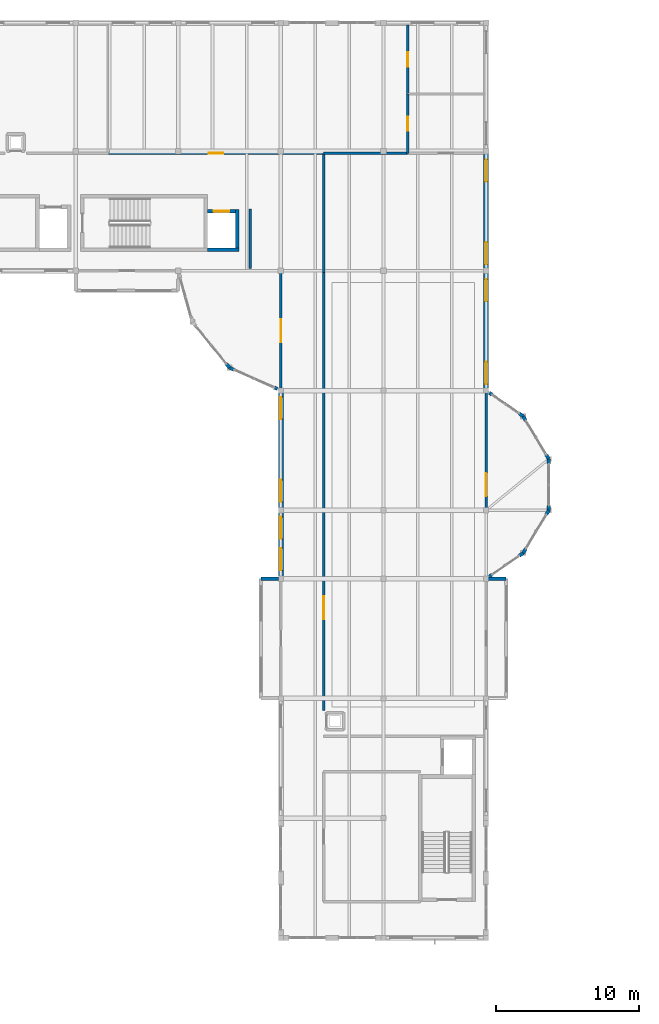
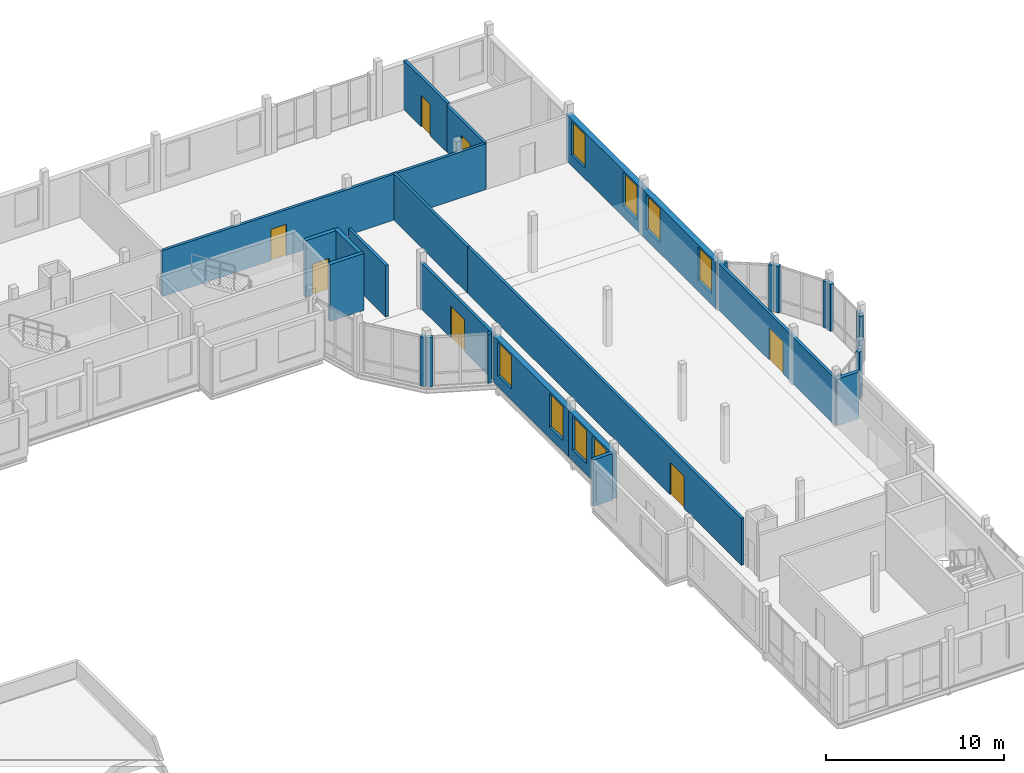
# One storey, part 43 of 57: 31 walls, 8 windows, 7 doors, 15 openings.
"""IFC4 building model written with IfcOpenShell, lengths in metres."""

from ifc_helpers import new_model, si_unit, direction, frame, frame_2d, origin, place, context, subcontext, project, spatial, rectangle, extrude, material, layer, layer_set, type_object, element, fill, save


model = new_model("IFC4")

# Units and contexts
model_context = context("Model", 3, precision=1e-05, world=origin(), true_north=direction((0.0, 1.0)))
body_context = subcontext(model_context, "Body", "Model", "MODEL_VIEW")
ifc_project = project(units=[si_unit("LENGTHUNIT", "METRE"), si_unit("AREAUNIT", "SQUARE_METRE"), si_unit("VOLUMEUNIT", "CUBIC_METRE"), si_unit("PLANEANGLEUNIT", "RADIAN"), si_unit("MASSUNIT", "GRAM", prefix="KILO")], contexts=[model_context])

# Site, building, storey
site_placement = place(None, origin())
site = spatial("IfcSite", under=ifc_project, at=site_placement, CompositionType="ELEMENT")
building_placement = place(site_placement, origin())
building = spatial("IfcBuilding", under=site, at=building_placement, Name="Kahlenmark Community Centre", CompositionType="ELEMENT")
storey_placement = place(building_placement, frame((0.0, 0.0, 13.800048828125)))
storey = spatial("IfcBuildingStorey", under=building, at=storey_placement, Name="L03", CompositionType="ELEMENT", Elevation=13.800048828125)

# Walls
ifc_material_1 = material(Name="Concrete C35/45", Category="concrete")
ifc_layer_1 = layer(ifc_material_1, 0.25)
ifc_layer_set_1 = layer_set([ifc_layer_1], Name="Concrete C35/45")
wall_type_1 = type_object("IfcWallType", Name="WT-CORE-250", PredefinedType="SHEAR", material=ifc_layer_set_1)
wall_1_placement = place(storey_placement, frame((67.25, 99.074951171875, 0.0), z_axis=(0.0, 0.0, 1.0), x_axis=(1.0, 0.0, 0.0)))
element("IfcWall", 1, at=wall_1_placement, inside=storey, type_object=wall_type_1, Name="Core K5 shear wall WL-CORE-K5-L03-0180", PredefinedType="SHEAR", context=body_context, shape_type="SweptSolid", body=[
    extrude(rectangle(XDim=2.2099609375, YDim=0.25, at=frame_2d((1.10498046875, 0.0))), origin(), (0.0, 0.0, 1.0), 3.89990234375),
])
wall_2_placement = place(storey_placement, frame((69.3349609375, 98.949951171875, 0.0), z_axis=(0.0, 0.0, 1.0), x_axis=(0.0, 1.0, 0.0)))
element("IfcWall", 2, at=wall_2_placement, inside=storey, type_object=wall_type_1, Name="Core K5 shear wall WL-CORE-K5-L03-0181", PredefinedType="SHEAR", context=body_context, shape_type="SweptSolid", body=[
    extrude(rectangle(XDim=2.9599609375, YDim=0.25, at=frame_2d((1.47998046875, 0.0))), origin(), (0.0, 0.0, 1.0), 3.89990234375),
])

# Wall, opening, door
wall_3_placement = place(storey_placement, frame((67.25, 101.784912109375, 0.0), z_axis=(0.0, 0.0, 1.0), x_axis=(1.0, 0.0, 0.0)))
wall_3 = element("IfcWall", 3, at=wall_3_placement, inside=storey, type_object=wall_type_1, Name="Core K5 shear wall WL-CORE-K5-L03-0182", PredefinedType="SHEAR", context=body_context, shape_type="SweptSolid", body=[
    extrude(rectangle(XDim=1.9599609375, YDim=0.25, at=frame_2d((0.97998046875, 0.0))), origin(), (0.0, 0.0, 1.0), 3.89990234375),
])
opening_1_placement = place(wall_3_placement, frame((0.429931640625, 0.0, -0.010009765625)))
opening_1 = element("IfcOpeningElement", 4, at=opening_1_placement, cuts=wall_3, Name="Opening LD-5", PredefinedType="OPENING", context=body_context, shape_type="SweptSolid", body=[
    extrude(rectangle(XDim=1.10009765625, YDim=2.159912109375, at=frame_2d((0.550048828125, 1.080078125))), frame((0.0, 0.135009765625, 0.0), z_axis=(0.0, -1.0, 0.0), x_axis=(1.0, 0.0, 0.0)), (0.0, 0.0, 1.0), 0.27001953125),
])
ifc_material_2 = material(Name="Brushed stainless steel sliding lift landing door", Category="steel")
door_type_1 = type_object("IfcDoorType", Name="DT-LD-K5", OperationType="SLIDING_TO_LEFT", PredefinedType="DOOR", material=ifc_material_2)
door_1_placement = place(opening_1_placement, frame((0.0, 0.0, 0.010009765625)))
door_1 = element("IfcDoor", 5, at=door_1_placement, inside=storey, type_object=door_type_1, Name="Lift LF-05 sliding landing door L03", OperationType="SLIDING_TO_LEFT", OverallHeight=2.14990234375, OverallWidth=1.10009765625, PredefinedType="DOOR", context=body_context, shape_type="SweptSolid", body=[
    extrude(rectangle(XDim=1.10009765625, YDim=2.14990234375, at=frame_2d((0.550048828125, 1.074951171875))), frame((0.0, 0.02490234375, 0.0), z_axis=(0.0, -1.0, 0.0), x_axis=(1.0, 0.0, 0.0)), (0.0, 0.0, 1.0), 0.050048828125),
])
fill(opening_1, door_1)

# Walls
ifc_material_3 = material(Name="Cross-laminated timber CLT C24", Category="wood")
ifc_layer_2 = layer(ifc_material_3, 0.239990234375)
ifc_layer_set_2 = layer_set([ifc_layer_2], Name="Cross-laminated timber CLT C24")
wall_type_2 = type_object("IfcWallType", Name="WT-EW-240", PredefinedType="SOLIDWALL", material=ifc_layer_set_2)
wall_4_placement = place(storey_placement, frame((87.0302734375, 76.159423828125, 0.0), z_axis=(0.0, 0.0, 1.0), x_axis=(0.822192191644, 0.56920997883, 0.0)))
element("IfcWall", 6, at=wall_4_placement, inside=storey, type_object=wall_type_2, Name="Rotunda pier closure 0736", PredefinedType="SOLIDWALL", context=body_context, shape_type="SweptSolid", body=[
    extrude(rectangle(XDim=0.219970703125, YDim=0.239990234375, at=frame_2d((0.10986328125, 0.0))), origin(), (0.0, 0.0, 1.0), 3.199951171875),
])
wall_5_placement = place(storey_placement, frame((89.12060546875, 77.6064453125, 0.0), z_axis=(0.0, 0.0, 1.0), x_axis=(0.821855834467, 0.569695521619, 0.0)))
element("IfcWall", 7, at=wall_5_placement, inside=storey, type_object=wall_type_2, Name="Rotunda pier closure 0737", PredefinedType="SOLIDWALL", context=body_context, shape_type="SweptSolid", body=[
    extrude(rectangle(XDim=0.33984375, YDim=0.239990234375, at=frame_2d((0.169921875, 0.0))), origin(), (0.0, 0.0, 1.0), 3.199951171875),
])
wall_6_placement = place(storey_placement, frame((89.39990234375, 77.800048828125, 0.0), z_axis=(0.0, 0.0, 1.0), x_axis=(0.514812489021, 0.857302805984, 0.0)))
element("IfcWall", 8, at=wall_6_placement, inside=storey, type_object=wall_type_2, Name="Rotunda pier closure 0738", PredefinedType="SOLIDWALL", context=body_context, shape_type="SweptSolid", body=[
    extrude(rectangle(XDim=0.340087890625, YDim=0.239990234375, at=frame_2d((0.169921875, 0.0))), origin(), (0.0, 0.0, 1.0), 3.199951171875),
])
for number, where, z_axis, x_axis, name in (
    (9, (91.025146484375, 80.508544921875, 0.0), (0.0, 0.0, 1.0), (0.514284482632, 0.857619653998, 0.0), "Rotunda pier closure 0739"),
    (10, (91.199951171875, 80.800048828125, 0.0), (0.0, 0.0, 1.0), (0.0, 1.0, 0.0), "Rotunda pier closure 0740"),
    (11, (91.199951171875, 84.06005859375, 0.0), (0.0, 0.0, 1.0), (0.0, 1.0, 0.0), "Rotunda pier closure 0741"),
    (12, (91.199951171875, 84.39990234375, 0.0), (0.0, 0.0, 1.0), (-0.514284482632, 0.857619653998, 0.0), "Rotunda pier closure 0742"),
):
    element("IfcWall", number, at=place(storey_placement, frame(where, z_axis=z_axis, x_axis=x_axis)), inside=storey, type_object=wall_type_2, Name=name, PredefinedType="SOLIDWALL", context=body_context, shape_type="SweptSolid", body=[
        extrude(rectangle(XDim=0.33984375, YDim=0.239990234375, at=frame_2d((0.169921875, 0.0))), origin(), (0.0, 0.0, 1.0), 3.199951171875),
    ])
wall_7_placement = place(storey_placement, frame((89.574951171875, 87.1083984375, 0.0), z_axis=(0.0, 0.0, 1.0), x_axis=(-0.514812489021, 0.857302805984, 0.0)))
element("IfcWall", 13, at=wall_7_placement, inside=storey, type_object=wall_type_2, Name="Rotunda pier closure 0743", PredefinedType="SOLIDWALL", context=body_context, shape_type="SweptSolid", body=[
    extrude(rectangle(XDim=0.340087890625, YDim=0.239990234375, at=frame_2d((0.169921875, 0.0))), origin(), (0.0, 0.0, 1.0), 3.199951171875),
])
wall_8_placement = place(storey_placement, frame((89.39990234375, 87.39990234375, 0.0), z_axis=(0.0, 0.0, 1.0), x_axis=(-0.821855834467, 0.569695521619, 0.0)))
element("IfcWall", 14, at=wall_8_placement, inside=storey, type_object=wall_type_2, Name="Rotunda pier closure 0744", PredefinedType="SOLIDWALL", context=body_context, shape_type="SweptSolid", body=[
    extrude(rectangle(XDim=0.33984375, YDim=0.239990234375, at=frame_2d((0.169921875, 0.0))), origin(), (0.0, 0.0, 1.0), 3.199951171875),
])
wall_9_placement = place(storey_placement, frame((87.211181640625, 88.915283203125, 0.0), z_axis=(0.0, 0.0, 1.0), x_axis=(-0.822192191644, 0.56920997883, 0.0)))
element("IfcWall", 15, at=wall_9_placement, inside=storey, type_object=wall_type_2, Name="Rotunda pier closure 0745", PredefinedType="SOLIDWALL", context=body_context, shape_type="SweptSolid", body=[
    extrude(rectangle(XDim=0.219970703125, YDim=0.239990234375, at=frame_2d((0.10986328125, 0.0))), origin(), (0.0, 0.0, 1.0), 3.199951171875),
])
wall_10_placement = place(storey_placement, frame((68.585693359375, 91.06396484375, 0.0), z_axis=(0.0, 0.0, 1.0), x_axis=(0.630457451131, -0.776223809422, 0.0)))
element("IfcWall", 16, at=wall_10_placement, inside=storey, type_object=wall_type_2, Name="Rotunda pier closure 0789", PredefinedType="SOLIDWALL", context=body_context, shape_type="SweptSolid", body=[
    extrude(rectangle(XDim=0.340087890625, YDim=0.239990234375, at=frame_2d((0.169921875, 0.0))), origin(), (0.0, 0.0, 1.0), 3.369873046875),
])
wall_11_placement = place(storey_placement, frame((68.800048828125, 90.800048828125, 0.0), z_axis=(0.0, 0.0, 1.0), x_axis=(0.913633745955, -0.406538286329, 0.0)))
element("IfcWall", 17, at=wall_11_placement, inside=storey, type_object=wall_type_2, Name="Rotunda pier closure 0790", PredefinedType="SOLIDWALL", context=body_context, shape_type="SweptSolid", body=[
    extrude(rectangle(XDim=0.33984375, YDim=0.239990234375, at=frame_2d((0.169921875, 0.0))), origin(), (0.0, 0.0, 1.0), 3.369873046875),
])
wall_12_placement = place(storey_placement, frame((71.943115234375, 89.403076171875, 0.0), z_axis=(0.0, 0.0, 1.0), x_axis=(0.913719959968, -0.406344477944, 0.0)))
element("IfcWall", 18, at=wall_12_placement, inside=storey, type_object=wall_type_2, Name="Rotunda pier closure 0791", PredefinedType="SOLIDWALL", context=body_context, shape_type="SweptSolid", body=[
    extrude(rectangle(XDim=0.219970703125, YDim=0.239990234375, at=frame_2d((0.10986328125, 0.0))), origin(), (0.0, 0.0, 1.0), 3.369873046875),
])
wall_13_placement = place(storey_placement, frame((88.199951171875, 76.0, 0.0), z_axis=(0.0, 0.0, 1.0), x_axis=(-1.0, 0.0, 0.0)))
element("IfcWall", 19, at=wall_13_placement, inside=storey, type_object=wall_type_2, Name="Bay oriel wall WL-ORI-L03-0816", PredefinedType="SOLIDWALL", context=body_context, shape_type="SweptSolid", body=[
    extrude(rectangle(XDim=1.39990234375, YDim=0.239990234375, at=frame_2d((0.699951171875, 0.0))), origin(), (0.0, 0.0, 1.0), 3.199951171875),
])
wall_14_placement = place(storey_placement, frame((71.0, 76.0, 0.0), z_axis=(0.0, 0.0, 1.0), x_axis=(1.0, 0.0, 0.0)))
element("IfcWall", 20, at=wall_14_placement, inside=storey, type_object=wall_type_2, Name="Bay oriel wall WL-ORI-L03-0852", PredefinedType="SOLIDWALL", context=body_context, shape_type="SweptSolid", body=[
    extrude(rectangle(XDim=1.25, YDim=0.239990234375, at=frame_2d((0.625, 0.0))), origin(), (0.0, 0.0, 1.0), 3.199951171875),
])

# Wall, openings, windows
ifc_material_4 = material(Name="Danube limestone masonry", Category="masonry")
ifc_layer_3 = layer(ifc_material_4, 0.360107421875)
ifc_layer_set_3 = layer_set([ifc_layer_3], Name="Danube limestone masonry")
wall_type_3 = type_object("IfcWallType", Name="WT-EW-360", PredefinedType="SOLIDWALL", material=ifc_layer_set_3)
wall_15_placement = place(storey_placement, frame((86.800048828125, 97.60009765625, 0.0), z_axis=(0.0, 0.0, 1.0), x_axis=(0.0, 1.0, 0.0)))
wall_15 = element("IfcWall", 21, at=wall_15_placement, inside=storey, type_object=wall_type_3, Name="Exterior wall WL-EXT-L03-0608", PredefinedType="SOLIDWALL", context=body_context, shape_type="SweptSolid", body=[
    extrude(rectangle(XDim=8.39990234375, YDim=0.360107421875, at=frame_2d((4.199951171875, 0.0))), origin(), (0.0, 0.0, 1.0), 3.179931640625),
])
opening_2_placement = place(wall_15_placement, frame((0.4599609375, 0.0, 0.75)))
opening_2 = element("IfcOpeningElement", 22, at=opening_2_placement, cuts=wall_15, Name="Opening W-155X229", PredefinedType="OPENING", context=body_context, shape_type="SweptSolid", body=[
    extrude(rectangle(XDim=1.550048828125, YDim=2.2900390625, at=frame_2d((0.77490234375, 1.14501953125))), frame((0.0, 0.18994140625, 0.0), z_axis=(0.0, -1.0, 0.0), x_axis=(1.0, 0.0, 0.0)), (0.0, 0.0, 1.0), 0.380126953125),
])
opening_3_placement = place(wall_15_placement, frame((6.260009765625, 0.0, 0.75)))
opening_3 = element("IfcOpeningElement", 23, at=opening_3_placement, cuts=wall_15, Name="Opening W-155X229", PredefinedType="OPENING", context=body_context, shape_type="SweptSolid", body=[
    extrude(rectangle(XDim=1.550048828125, YDim=2.2900390625, at=frame_2d((0.77490234375, 1.14501953125))), frame((0.0, 0.18994140625, 0.0), z_axis=(0.0, -1.0, 0.0), x_axis=(1.0, 0.0, 0.0)), (0.0, 0.0, 1.0), 0.380126953125),
])
ifc_material_5 = material(Name="Deep-reveal limestone punched triple glazing", Category="masonry")
window_type_1 = type_object("IfcWindowType", Name="WNT-155X229", PartitioningType="DOUBLE_PANEL_HORIZONTAL", PredefinedType="WINDOW", material=ifc_material_5)
window_1_placement = place(opening_2_placement, origin())
window_1 = element("IfcWindow", 24, at=window_1_placement, inside=storey, type_object=window_type_1, Name="Window W-155X229 #0381", OverallHeight=2.2900390625, OverallWidth=1.550048828125, PartitioningType="DOUBLE_PANEL_HORIZONTAL", PredefinedType="WINDOW", context=body_context, shape_type="SweptSolid", body=[
    extrude(rectangle(XDim=1.550048828125, YDim=2.2900390625, at=frame_2d((0.77490234375, 1.14501953125))), frame((0.0, 0.030029296875, 0.0), z_axis=(0.0, -1.0, 0.0), x_axis=(1.0, 0.0, 0.0)), (0.0, 0.0, 1.0), 0.06005859375),
])
fill(opening_2, window_1)
window_2_placement = place(opening_3_placement, origin())
window_2 = element("IfcWindow", 25, at=window_2_placement, inside=storey, type_object=window_type_1, Name="Window W-155X229 #0382", OverallHeight=2.2900390625, OverallWidth=1.550048828125, PartitioningType="DOUBLE_PANEL_HORIZONTAL", PredefinedType="WINDOW", context=body_context, shape_type="SweptSolid", body=[
    extrude(rectangle(XDim=1.550048828125, YDim=2.2900390625, at=frame_2d((0.77490234375, 1.14501953125))), frame((0.0, 0.030029296875, 0.0), z_axis=(0.0, -1.0, 0.0), x_axis=(1.0, 0.0, 0.0)), (0.0, 0.0, 1.0), 0.06005859375),
])
fill(opening_3, window_2)

wall_16_placement = place(storey_placement, frame((72.39990234375, 80.800048828125, 0.0), z_axis=(0.0, 0.0, 1.0), x_axis=(0.0, -1.0, 0.0)))
wall_16 = element("IfcWall", 26, at=wall_16_placement, inside=storey, type_object=wall_type_3, Name="Exterior wall WL-EXT-L03-0618", PredefinedType="SOLIDWALL", context=body_context, shape_type="SweptSolid", body=[
    extrude(rectangle(XDim=4.800048828125, YDim=0.360107421875, at=frame_2d((2.39990234375, 0.0))), origin(), (0.0, 0.0, 1.0), 3.199951171875),
])
opening_4_placement = place(wall_16_placement, frame((0.4599609375, 0.0, 0.75)))
opening_4 = element("IfcOpeningElement", 27, at=opening_4_placement, cuts=wall_16, Name="Opening W-155X231", PredefinedType="OPENING", context=body_context, shape_type="SweptSolid", body=[
    extrude(rectangle(XDim=1.550048828125, YDim=2.31005859375, at=frame_2d((0.77490234375, 1.155029296875))), frame((0.0, 0.18994140625, 0.0), z_axis=(0.0, -1.0, 0.0), x_axis=(1.0, 0.0, 0.0)), (0.0, 0.0, 1.0), 0.380126953125),
])
opening_5_placement = place(wall_16_placement, frame((2.659912109375, 0.0, 0.75)))
opening_5 = element("IfcOpeningElement", 28, at=opening_5_placement, cuts=wall_16, Name="Opening W-155X231", PredefinedType="OPENING", context=body_context, shape_type="SweptSolid", body=[
    extrude(rectangle(XDim=1.550048828125, YDim=2.31005859375, at=frame_2d((0.77490234375, 1.155029296875))), frame((0.0, 0.18994140625, 0.0), z_axis=(0.0, -1.0, 0.0), x_axis=(1.0, 0.0, 0.0)), (0.0, 0.0, 1.0), 0.380126953125),
])
window_type_2 = type_object("IfcWindowType", Name="WNT-155X231", PartitioningType="DOUBLE_PANEL_HORIZONTAL", PredefinedType="WINDOW", material=ifc_material_5)
window_3_placement = place(opening_4_placement, origin())
window_3 = element("IfcWindow", 29, at=window_3_placement, inside=storey, type_object=window_type_2, Name="Window W-155X231 #0389", OverallHeight=2.31005859375, OverallWidth=1.550048828125, PartitioningType="DOUBLE_PANEL_HORIZONTAL", PredefinedType="WINDOW", context=body_context, shape_type="SweptSolid", body=[
    extrude(rectangle(XDim=1.550048828125, YDim=2.31005859375, at=frame_2d((0.77490234375, 1.155029296875))), frame((0.0, 0.030029296875, 0.0), z_axis=(0.0, -1.0, 0.0), x_axis=(1.0, 0.0, 0.0)), (0.0, 0.0, 1.0), 0.06005859375),
])
fill(opening_4, window_3)
window_4_placement = place(opening_5_placement, origin())
window_4 = element("IfcWindow", 30, at=window_4_placement, inside=storey, type_object=window_type_2, Name="Window W-155X231 #0390", OverallHeight=2.31005859375, OverallWidth=1.550048828125, PartitioningType="DOUBLE_PANEL_HORIZONTAL", PredefinedType="WINDOW", context=body_context, shape_type="SweptSolid", body=[
    extrude(rectangle(XDim=1.550048828125, YDim=2.31005859375, at=frame_2d((0.77490234375, 1.155029296875))), frame((0.0, 0.030029296875, 0.0), z_axis=(0.0, -1.0, 0.0), x_axis=(1.0, 0.0, 0.0)), (0.0, 0.0, 1.0), 0.06005859375),
])
fill(opening_5, window_4)

wall_17_placement = place(storey_placement, frame((72.39990234375, 89.199951171875, 0.0), z_axis=(0.0, 0.0, 1.0), x_axis=(0.0, -1.0, 0.0)))
wall_17 = element("IfcWall", 31, at=wall_17_placement, inside=storey, type_object=wall_type_3, Name="Exterior wall WL-EXT-L03-0619", PredefinedType="SOLIDWALL", context=body_context, shape_type="SweptSolid", body=[
    extrude(rectangle(XDim=8.39990234375, YDim=0.360107421875, at=frame_2d((4.199951171875, 0.0))), origin(), (0.0, 0.0, 1.0), 3.199951171875),
])
opening_6_placement = place(wall_17_placement, frame((0.4599609375, 0.0, 0.75)))
opening_6 = element("IfcOpeningElement", 32, at=opening_6_placement, cuts=wall_17, Name="Opening W-155X231", PredefinedType="OPENING", context=body_context, shape_type="SweptSolid", body=[
    extrude(rectangle(XDim=1.550048828125, YDim=2.31005859375, at=frame_2d((0.77490234375, 1.155029296875))), frame((0.0, 0.18994140625, 0.0), z_axis=(0.0, -1.0, 0.0), x_axis=(1.0, 0.0, 0.0)), (0.0, 0.0, 1.0), 0.380126953125),
])
opening_7_placement = place(wall_17_placement, frame((6.260009765625, 0.0, 0.75)))
opening_7 = element("IfcOpeningElement", 33, at=opening_7_placement, cuts=wall_17, Name="Opening W-155X231", PredefinedType="OPENING", context=body_context, shape_type="SweptSolid", body=[
    extrude(rectangle(XDim=1.550048828125, YDim=2.31005859375, at=frame_2d((0.77490234375, 1.155029296875))), frame((0.0, 0.18994140625, 0.0), z_axis=(0.0, -1.0, 0.0), x_axis=(1.0, 0.0, 0.0)), (0.0, 0.0, 1.0), 0.380126953125),
])
window_5_placement = place(opening_6_placement, origin())
window_5 = element("IfcWindow", 34, at=window_5_placement, inside=storey, type_object=window_type_2, Name="Window W-155X231 #0391", OverallHeight=2.31005859375, OverallWidth=1.550048828125, PartitioningType="DOUBLE_PANEL_HORIZONTAL", PredefinedType="WINDOW", context=body_context, shape_type="SweptSolid", body=[
    extrude(rectangle(XDim=1.550048828125, YDim=2.31005859375, at=frame_2d((0.77490234375, 1.155029296875))), frame((0.0, 0.030029296875, 0.0), z_axis=(0.0, -1.0, 0.0), x_axis=(1.0, 0.0, 0.0)), (0.0, 0.0, 1.0), 0.06005859375),
])
fill(opening_6, window_5)
window_6_placement = place(opening_7_placement, origin())
window_6 = element("IfcWindow", 35, at=window_6_placement, inside=storey, type_object=window_type_2, Name="Window W-155X231 #0392", OverallHeight=2.31005859375, OverallWidth=1.550048828125, PartitioningType="DOUBLE_PANEL_HORIZONTAL", PredefinedType="WINDOW", context=body_context, shape_type="SweptSolid", body=[
    extrude(rectangle(XDim=1.550048828125, YDim=2.31005859375, at=frame_2d((0.77490234375, 1.155029296875))), frame((0.0, 0.030029296875, 0.0), z_axis=(0.0, -1.0, 0.0), x_axis=(1.0, 0.0, 0.0)), (0.0, 0.0, 1.0), 0.06005859375),
])
fill(opening_7, window_6)

wall_18_placement = place(storey_placement, frame((86.800048828125, 89.199951171875, 0.0), z_axis=(0.0, 0.0, 1.0), x_axis=(0.0, 1.0, 0.0)))
wall_18 = element("IfcWall", 36, at=wall_18_placement, inside=storey, type_object=wall_type_3, Name="Exterior wall WL-EXT-L03-0624", PredefinedType="SOLIDWALL", context=body_context, shape_type="SweptSolid", body=[
    extrude(rectangle(XDim=8.400146484375, YDim=0.360107421875, at=frame_2d((4.2001953125, 0.0))), origin(), (0.0, 0.0, 1.0), 3.199951171875),
])
opening_8_placement = place(wall_18_placement, frame((0.4599609375, 0.0, 0.75)))
opening_8 = element("IfcOpeningElement", 37, at=opening_8_placement, cuts=wall_18, Name="Opening W-155X231", PredefinedType="OPENING", context=body_context, shape_type="SweptSolid", body=[
    extrude(rectangle(XDim=1.550048828125, YDim=2.31005859375, at=frame_2d((0.77490234375, 1.155029296875))), frame((0.0, 0.18994140625, 0.0), z_axis=(0.0, -1.0, 0.0), x_axis=(1.0, 0.0, 0.0)), (0.0, 0.0, 1.0), 0.380126953125),
])
opening_9_placement = place(wall_18_placement, frame((6.260009765625, 0.0, 0.75)))
opening_9 = element("IfcOpeningElement", 38, at=opening_9_placement, cuts=wall_18, Name="Opening W-155X231", PredefinedType="OPENING", context=body_context, shape_type="SweptSolid", body=[
    extrude(rectangle(XDim=1.550048828125, YDim=2.31005859375, at=frame_2d((0.77490234375, 1.155029296875))), frame((0.0, 0.18994140625, 0.0), z_axis=(0.0, -1.0, 0.0), x_axis=(1.0, 0.0, 0.0)), (0.0, 0.0, 1.0), 0.380126953125),
])
window_7_placement = place(opening_8_placement, origin())
window_7 = element("IfcWindow", 39, at=window_7_placement, inside=storey, type_object=window_type_2, Name="Window W-155X231 #0395", OverallHeight=2.31005859375, OverallWidth=1.550048828125, PartitioningType="DOUBLE_PANEL_HORIZONTAL", PredefinedType="WINDOW", context=body_context, shape_type="SweptSolid", body=[
    extrude(rectangle(XDim=1.550048828125, YDim=2.31005859375, at=frame_2d((0.77490234375, 1.155029296875))), frame((0.0, 0.030029296875, 0.0), z_axis=(0.0, -1.0, 0.0), x_axis=(1.0, 0.0, 0.0)), (0.0, 0.0, 1.0), 0.06005859375),
])
fill(opening_8, window_7)
window_8_placement = place(opening_9_placement, origin())
window_8 = element("IfcWindow", 40, at=window_8_placement, inside=storey, type_object=window_type_2, Name="Window W-155X231 #0396", OverallHeight=2.31005859375, OverallWidth=1.550048828125, PartitioningType="DOUBLE_PANEL_HORIZONTAL", PredefinedType="WINDOW", context=body_context, shape_type="SweptSolid", body=[
    extrude(rectangle(XDim=1.550048828125, YDim=2.31005859375, at=frame_2d((0.77490234375, 1.155029296875))), frame((0.0, 0.030029296875, 0.0), z_axis=(0.0, -1.0, 0.0), x_axis=(1.0, 0.0, 0.0)), (0.0, 0.0, 1.0), 0.06005859375),
])
fill(opening_9, window_8)

# Wall
ifc_material_6 = material(Name="Gypsum plasterboard partition", Category="gypsum")
ifc_layer_4 = layer(ifc_material_6, 0.179931640625)
ifc_layer_set_4 = layer_set([ifc_layer_4], Name="Gypsum plasterboard partition")
wall_type_4 = type_object("IfcWallType", Name="WT-PW-180", PredefinedType="PARTITIONING", material=ifc_layer_set_4)
wall_19_placement = place(storey_placement, frame((70.25, 97.760009765625, 0.0), z_axis=(0.0, 0.0, 1.0), x_axis=(0.0, 1.0, 0.0)))
element("IfcWall", 41, at=wall_19_placement, inside=storey, type_object=wall_type_4, Name="Interior partition WL-INT-L03-0233", PredefinedType="PARTITIONING", context=body_context, shape_type="SweptSolid", body=[
    extrude(rectangle(XDim=4.18994140625, YDim=0.179931640625, at=frame_2d((2.094970703125, 0.0))), origin(), (0.0, 0.0, 1.0), 3.5400390625),
])

# Wall, opening, door
wall_20_placement = place(storey_placement, frame((60.300048828125, 105.85009765625, 0.0), z_axis=(0.0, 0.0, 1.0), x_axis=(1.0, 0.0, 0.0)))
wall_20 = element("IfcWall", 42, at=wall_20_placement, inside=storey, type_object=wall_type_4, Name="Interior partition WL-INT-L03-0237", PredefinedType="PARTITIONING", context=body_context, shape_type="SweptSolid", body=[
    extrude(rectangle(XDim=15.099853515625, YDim=0.179931640625, at=frame_2d((7.5498046875, 0.0))), origin(), (0.0, 0.0, 1.0), 3.14990234375),
])
opening_10_placement = place(wall_20_placement, frame((7.050048828125, 0.0, -0.010009765625)))
opening_10 = element("IfcOpeningElement", 43, at=opening_10_placement, cuts=wall_20, Name="Opening D-L03-136", PredefinedType="OPENING", context=body_context, shape_type="SweptSolid", body=[
    extrude(rectangle(XDim=1.0, YDim=2.159912109375, at=frame_2d((0.5, 1.080078125))), frame((0.0, 0.099853515625, 0.0), z_axis=(0.0, -1.0, 0.0), x_axis=(1.0, 0.0, 0.0)), (0.0, 0.0, 1.0), 0.199951171875),
])
ifc_material_7 = material(Name="Oak timber veneer door leaf", Category="wood")
door_type_2 = type_object("IfcDoorType", Name="DT-INT-100X215", OperationType="NOTDEFINED", PredefinedType="DOOR", material=ifc_material_7)
door_2_placement = place(opening_10_placement, frame((0.0, 0.0, 0.010009765625)))
door_2 = element("IfcDoor", 44, at=door_2_placement, inside=storey, type_object=door_type_2, Name="Interior door D-L03-136", OperationType="SINGLE_SWING_LEFT", OverallHeight=2.14990234375, OverallWidth=1.0, PredefinedType="DOOR", context=body_context, shape_type="SweptSolid", body=[
    extrude(rectangle(XDim=1.0, YDim=2.14990234375, at=frame_2d((0.5, 1.074951171875))), frame((0.0, 0.02490234375, 0.0), z_axis=(0.0, -1.0, 0.0), x_axis=(1.0, 0.0, 0.0)), (0.0, 0.0, 1.0), 0.050048828125),
])
fill(opening_10, door_2)

# Wall
wall_21_placement = place(storey_placement, frame((75.39990234375, 105.85009765625, 0.0), z_axis=(0.0, 0.0, 1.0), x_axis=(1.0, 0.0, 0.0)))
element("IfcWall", 45, at=wall_21_placement, inside=storey, type_object=wall_type_4, Name="Interior partition WL-INT-L03-0238", PredefinedType="PARTITIONING", context=body_context, shape_type="SweptSolid", body=[
    extrude(rectangle(XDim=5.900146484375, YDim=0.179931640625, at=frame_2d((2.9501953125, 0.0))), origin(), (0.0, 0.0, 1.0), 3.14990234375),
])

# Wall, opening, door
wall_22_placement = place(storey_placement, frame((81.300048828125, 105.85009765625, 0.0), z_axis=(0.0, 0.0, 1.0), x_axis=(0.0, 1.0, 0.0)))
wall_22 = element("IfcWall", 46, at=wall_22_placement, inside=storey, type_object=wall_type_4, Name="Interior partition WL-INT-L03-0241", PredefinedType="PARTITIONING", context=body_context, shape_type="SweptSolid", body=[
    extrude(rectangle(XDim=4.14990234375, YDim=0.179931640625, at=frame_2d((2.074951171875, 0.0))), origin(), (0.0, 0.0, 1.0), 3.179931640625),
])
opening_11_placement = place(wall_22_placement, frame((1.574951171875, 0.0, -0.010009765625)))
opening_11 = element("IfcOpeningElement", 47, at=opening_11_placement, cuts=wall_22, Name="Opening D-L03-138", PredefinedType="OPENING", context=body_context, shape_type="SweptSolid", body=[
    extrude(rectangle(XDim=1.0, YDim=2.159912109375, at=frame_2d((0.5, 1.080078125))), frame((0.0, 0.099853515625, 0.0), z_axis=(0.0, -1.0, 0.0), x_axis=(1.0, 0.0, 0.0)), (0.0, 0.0, 1.0), 0.199951171875),
])
door_3_placement = place(opening_11_placement, frame((1.0, 0.0, 0.010009765625), z_axis=(0.0, 0.0, 1.0), x_axis=(-1.0, 0.0, 0.0)))
door_3 = element("IfcDoor", 48, at=door_3_placement, inside=storey, type_object=door_type_2, Name="Interior door D-L03-138", OperationType="SINGLE_SWING_LEFT", OverallHeight=2.14990234375, OverallWidth=1.0, PredefinedType="DOOR", context=body_context, shape_type="SweptSolid", body=[
    extrude(rectangle(XDim=1.0, YDim=2.14990234375, at=frame_2d((0.5, 1.074951171875))), frame((0.0, 0.02490234375, 0.0), z_axis=(0.0, -1.0, 0.0), x_axis=(1.0, 0.0, 0.0)), (0.0, 0.0, 1.0), 0.050048828125),
])
fill(opening_11, door_3)

wall_23_placement = place(storey_placement, frame((81.300048828125, 110.0, 0.0), z_axis=(0.0, 0.0, 1.0), x_axis=(0.0, 1.0, 0.0)))
wall_23 = element("IfcWall", 49, at=wall_23_placement, inside=storey, type_object=wall_type_4, Name="Interior partition WL-INT-L03-0242", PredefinedType="PARTITIONING", context=body_context, shape_type="SweptSolid", body=[
    extrude(rectangle(XDim=4.860107421875, YDim=0.179931640625, at=frame_2d((2.43017578125, 0.0))), origin(), (0.0, 0.0, 1.0), 3.369873046875),
])
opening_12_placement = place(wall_23_placement, frame((1.929931640625, 0.0, -0.010009765625)))
opening_12 = element("IfcOpeningElement", 50, at=opening_12_placement, cuts=wall_23, Name="Opening D-L03-139", PredefinedType="OPENING", context=body_context, shape_type="SweptSolid", body=[
    extrude(rectangle(XDim=1.0, YDim=2.159912109375, at=frame_2d((0.5, 1.080078125))), frame((0.0, 0.099853515625, 0.0), z_axis=(0.0, -1.0, 0.0), x_axis=(1.0, 0.0, 0.0)), (0.0, 0.0, 1.0), 0.199951171875),
])
door_4_placement = place(opening_12_placement, frame((0.0, 0.0, 0.010009765625)))
door_4 = element("IfcDoor", 51, at=door_4_placement, inside=storey, type_object=door_type_2, Name="Interior door D-L03-139", OperationType="SINGLE_SWING_RIGHT", OverallHeight=2.14990234375, OverallWidth=1.0, PredefinedType="DOOR", context=body_context, shape_type="SweptSolid", body=[
    extrude(rectangle(XDim=1.0, YDim=2.14990234375, at=frame_2d((0.5, 1.074951171875))), frame((0.0, 0.02490234375, 0.0), z_axis=(0.0, -1.0, 0.0), x_axis=(1.0, 0.0, 0.0)), (0.0, 0.0, 1.0), 0.050048828125),
])
fill(opening_12, door_4)

wall_24_placement = place(storey_placement, frame((75.39990234375, 66.75, 0.0), z_axis=(0.0, 0.0, 1.0), x_axis=(0.0, 1.0, 0.0)))
wall_24 = element("IfcWall", 52, at=wall_24_placement, inside=storey, type_object=wall_type_4, Name="Interior partition WL-INT-L03-0248", PredefinedType="PARTITIONING", context=body_context, shape_type="SweptSolid", body=[
    extrude(rectangle(XDim=30.75, YDim=0.179931640625, at=frame_2d((15.375, 0.0))), origin(), (0.0, 0.0, 1.0), 3.199951171875),
])
opening_13_placement = place(wall_24_placement, frame((6.4130859375, 0.0, -0.010009765625)))
opening_13 = element("IfcOpeningElement", 53, at=opening_13_placement, cuts=wall_24, Name="Opening D-L03-141", PredefinedType="OPENING", context=body_context, shape_type="SweptSolid", body=[
    extrude(rectangle(XDim=1.60009765625, YDim=2.2099609375, at=frame_2d((0.800048828125, 1.10498046875))), frame((0.0, 0.099853515625, 0.0), z_axis=(0.0, -1.0, 0.0), x_axis=(1.0, 0.0, 0.0)), (0.0, 0.0, 1.0), 0.199951171875),
])
ifc_material_8 = material(Name="Oak double-leaf acoustic door")
door_type_3 = type_object("IfcDoorType", Name="DT-DBL-160X220", OperationType="NOTDEFINED", PredefinedType="DOOR", material=ifc_material_8)
door_5_placement = place(opening_13_placement, frame((1.60009765625, 0.0, 0.010009765625), z_axis=(0.0, 0.0, 1.0), x_axis=(-1.0, 0.0, 0.0)))
door_5 = element("IfcDoor", 54, at=door_5_placement, inside=storey, type_object=door_type_3, Name="Interior door D-L03-141", OperationType="DOUBLE_SWING_LEFT", OverallHeight=2.199951171875, OverallWidth=1.60009765625, PredefinedType="DOOR", context=body_context, shape_type="SweptSolid", body=[
    extrude(rectangle(XDim=1.60009765625, YDim=2.199951171875, at=frame_2d((0.800048828125, 1.10009765625))), frame((0.0, 0.02490234375, 0.0), z_axis=(0.0, -1.0, 0.0), x_axis=(1.0, 0.0, 0.0)), (0.0, 0.0, 1.0), 0.050048828125),
])
fill(opening_13, door_5)

# Wall
wall_25_placement = place(storey_placement, frame((75.39990234375, 97.5, 0.0), z_axis=(0.0, 0.0, 1.0), x_axis=(0.0, 1.0, 0.0)))
element("IfcWall", 55, at=wall_25_placement, inside=storey, type_object=wall_type_4, Name="Interior partition WL-INT-L03-0249", PredefinedType="PARTITIONING", context=body_context, shape_type="SweptSolid", body=[
    extrude(rectangle(XDim=8.35009765625, YDim=0.179931640625, at=frame_2d((4.175048828125, 0.0))), origin(), (0.0, 0.0, 1.0), 3.179931640625),
])

# Wall, opening, door
wall_26_placement = place(storey_placement, frame((86.800048828125, 76.0, 0.0), z_axis=(0.0, 0.0, 1.0), x_axis=(0.0, 1.0, 0.0)))
wall_26 = element("IfcWall", 56, at=wall_26_placement, inside=storey, type_object=wall_type_4, Name="Interior partition WL-INT-L03-0250", PredefinedType="PARTITIONING", context=body_context, shape_type="SweptSolid", body=[
    extrude(rectangle(XDim=13.199951171875, YDim=0.179931640625, at=frame_2d((6.60009765625, 0.0))), origin(), (0.0, 0.0, 1.0), 3.199951171875),
])
opening_14_placement = place(wall_26_placement, frame((5.800048828125, 0.0, -0.010009765625)))
opening_14 = element("IfcOpeningElement", 57, at=opening_14_placement, cuts=wall_26, Name="Opening D-L03-142", PredefinedType="OPENING", context=body_context, shape_type="SweptSolid", body=[
    extrude(rectangle(XDim=1.60009765625, YDim=2.2099609375, at=frame_2d((0.800048828125, 1.10498046875))), frame((0.0, 0.099853515625, 0.0), z_axis=(0.0, -1.0, 0.0), x_axis=(1.0, 0.0, 0.0)), (0.0, 0.0, 1.0), 0.199951171875),
])
door_6_placement = place(opening_14_placement, frame((0.0, 0.0, 0.010009765625)))
door_6 = element("IfcDoor", 58, at=door_6_placement, inside=storey, type_object=door_type_3, Name="Interior door D-L03-142", OperationType="DOUBLE_SWING_LEFT", OverallHeight=2.199951171875, OverallWidth=1.60009765625, PredefinedType="DOOR", context=body_context, shape_type="SweptSolid", body=[
    extrude(rectangle(XDim=1.60009765625, YDim=2.199951171875, at=frame_2d((0.800048828125, 1.10009765625))), frame((0.0, 0.02490234375, 0.0), z_axis=(0.0, -1.0, 0.0), x_axis=(1.0, 0.0, 0.0)), (0.0, 0.0, 1.0), 0.050048828125),
])
fill(opening_14, door_6)

wall_27_placement = place(storey_placement, frame((72.39990234375, 89.199951171875, 0.0), z_axis=(0.0, 0.0, 1.0), x_axis=(0.0, 1.0, 0.0)))
wall_27 = element("IfcWall", 59, at=wall_27_placement, inside=storey, type_object=wall_type_4, Name="Interior partition WL-INT-L03-0251", PredefinedType="PARTITIONING", context=body_context, shape_type="SweptSolid", body=[
    extrude(rectangle(XDim=8.400146484375, YDim=0.179931640625, at=frame_2d((4.2001953125, 0.0))), origin(), (0.0, 0.0, 1.0), 3.14990234375),
])
opening_15_placement = place(wall_27_placement, frame((3.39990234375, 0.0, -0.010009765625)))
opening_15 = element("IfcOpeningElement", 60, at=opening_15_placement, cuts=wall_27, Name="Opening D-L03-143", PredefinedType="OPENING", context=body_context, shape_type="SweptSolid", body=[
    extrude(rectangle(XDim=1.60009765625, YDim=2.2099609375, at=frame_2d((0.800048828125, 1.10498046875))), frame((0.0, 0.099853515625, 0.0), z_axis=(0.0, -1.0, 0.0), x_axis=(1.0, 0.0, 0.0)), (0.0, 0.0, 1.0), 0.199951171875),
])
door_7_placement = place(opening_15_placement, frame((0.0, 0.0, 0.010009765625)))
door_7 = element("IfcDoor", 61, at=door_7_placement, inside=storey, type_object=door_type_3, Name="Interior door D-L03-143", OperationType="DOUBLE_SWING_LEFT", OverallHeight=2.199951171875, OverallWidth=1.60009765625, PredefinedType="DOOR", context=body_context, shape_type="SweptSolid", body=[
    extrude(rectangle(XDim=1.60009765625, YDim=2.199951171875, at=frame_2d((0.800048828125, 1.10009765625))), frame((0.0, 0.02490234375, 0.0), z_axis=(0.0, -1.0, 0.0), x_axis=(1.0, 0.0, 0.0)), (0.0, 0.0, 1.0), 0.050048828125),
])
fill(opening_15, door_7)

save(model, "model.ifc")
